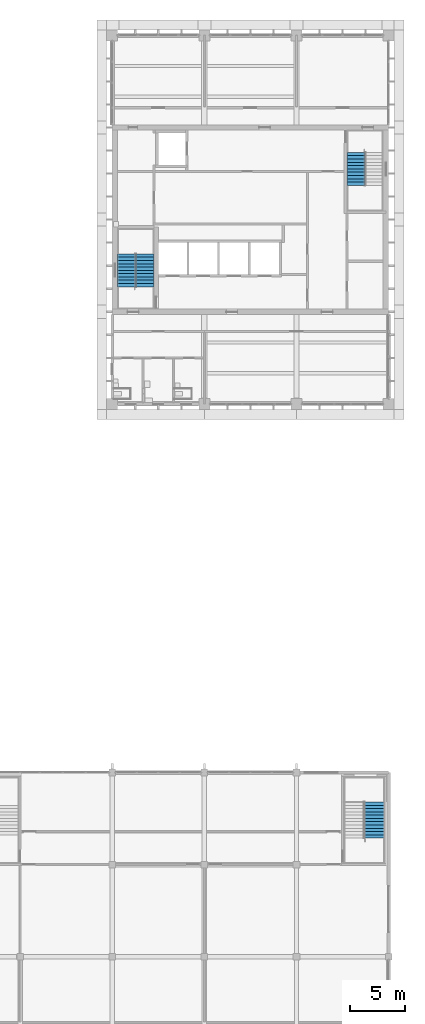
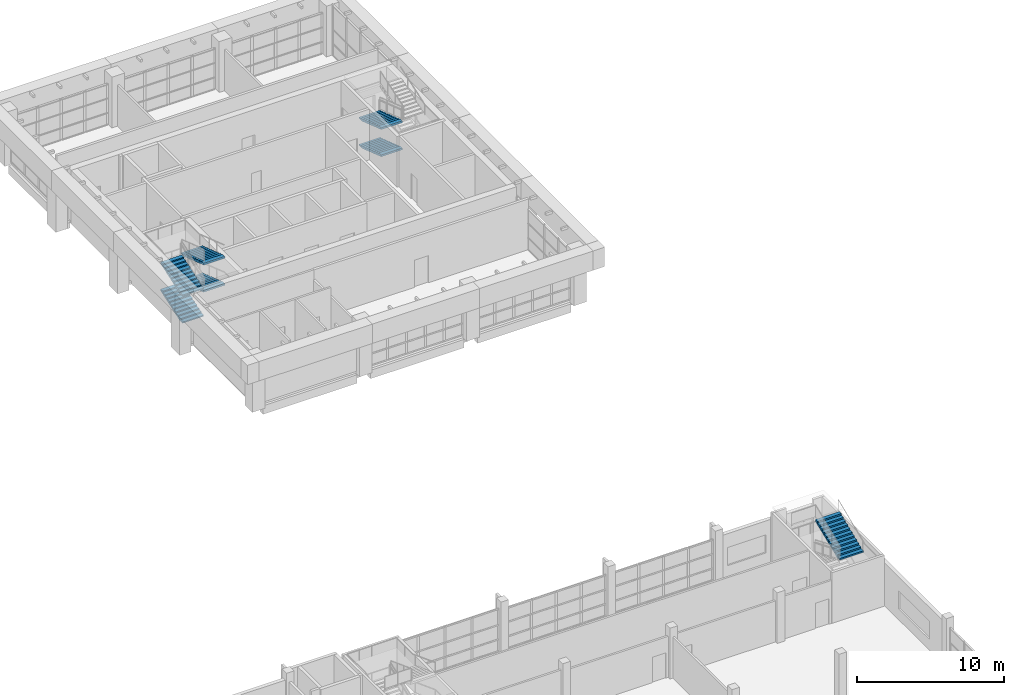
# One storey, part 42 of 56: 7 stair flights, 3 elements without a shape of their own.
"""IFC4 building model written with IfcOpenShell, lengths in metres."""

from ifc_helpers import new_model, si_unit, direction, frame, origin, place, context, subcontext, project, spatial, faceted_brep, material, type_object, element, aggregate, save


model = new_model("IFC4")

# Units and contexts
model_context = context("Model", 3, precision=1e-05, world=origin(), true_north=direction((0.0, 1.0)))
body_context = subcontext(model_context, "Body", "Model", "MODEL_VIEW")
ifc_project = project(units=[si_unit("LENGTHUNIT", "METRE"), si_unit("AREAUNIT", "SQUARE_METRE"), si_unit("VOLUMEUNIT", "CUBIC_METRE"), si_unit("PLANEANGLEUNIT", "RADIAN"), si_unit("MASSUNIT", "GRAM", prefix="KILO")], contexts=[model_context])

# Site, building, storey
site_placement = place(None, origin())
site = spatial("IfcSite", under=ifc_project, at=site_placement, CompositionType="ELEMENT")
building_placement = place(site_placement, origin())
building = spatial("IfcBuilding", under=site, at=building_placement, Name="Rulbaag Community and Learning Centre", CompositionType="ELEMENT")
storey_placement = place(building_placement, frame((0.0, 0.0, 9.89990234375)))
storey = spatial("IfcBuildingStorey", under=building, at=storey_placement, Name="L02", CompositionType="ELEMENT", Elevation=9.89990234375)

# Stair, stair flights
ifc_material = material(Name="Concrete M40", Category="concrete")
stair_type_1 = type_object("IfcStairType", Name="ST-1650 STAIR 1650 WIDE", PredefinedType="HALF_TURN_STAIR", material=ifc_material)
stair_1_placement = place(storey_placement, origin())
stair_1 = element("IfcStair", 1, at=stair_1_placement, inside=storey, type_object=stair_type_1, Name="Stair ST1 L02", PredefinedType="HALF_TURN_STAIR")
stair_flight_type_1 = type_object("IfcStairFlightType", Name="FL-1650 FLIGHT 1650 WIDE Concrete M40", PredefinedType="STRAIGHT", material=ifc_material)
stair_flight_1_placement = place(storey_placement, frame((144.125, 94.675048828125, 0.0), z_axis=(0.0, 0.0, 1.0), x_axis=(0.0, 1.0, 0.0)))
stair_flight_1 = element("IfcStairFlight", 2, at=stair_flight_1_placement, type_object=stair_flight_type_1, Name="ST1 flight 1", NumberOfRisers=11, NumberOfTreads=10, PredefinedType="STRAIGHT", RiserHeight=0.102272727, TreadLength=0.3, context=body_context, shape_type="Brep", body=[
    faceted_brep([(0.43359375, -0.824951171875, 0.0), (3.0, -0.824951171875, 0.875), (3.0, -0.824951171875, 1.022705078125), (2.699951171875, -0.824951171875, 1.022705078125), (2.699951171875, -0.824951171875, 0.92041015625), (2.39990234375, -0.824951171875, 0.92041015625), (2.39990234375, -0.824951171875, 0.818115234375), (2.10009765625, -0.824951171875, 0.818115234375), (2.10009765625, -0.824951171875, 0.7158203125), (1.800048828125, -0.824951171875, 0.7158203125), (1.800048828125, -0.824951171875, 0.613525390625), (1.5, -0.824951171875, 0.613525390625), (1.5, -0.824951171875, 0.511474609375), (1.199951171875, -0.824951171875, 0.511474609375), (1.199951171875, -0.824951171875, 0.4091796875), (0.89990234375, -0.824951171875, 0.4091796875), (0.89990234375, -0.824951171875, 0.306884765625), (0.60009765625, -0.824951171875, 0.306884765625), (0.60009765625, -0.824951171875, 0.20458984375), (0.300048828125, -0.824951171875, 0.20458984375), (0.300048828125, -0.824951171875, 0.102294921875), (0.0, -0.824951171875, 0.102294921875), (0.0, -0.824951171875, 0.0), (0.0, 0.824951171875, 0.0), (0.0, 0.824951171875, 0.102294921875), (0.300048828125, 0.824951171875, 0.102294921875), (0.300048828125, 0.824951171875, 0.20458984375), (0.60009765625, 0.824951171875, 0.20458984375), (0.60009765625, 0.824951171875, 0.306884765625), (0.89990234375, 0.824951171875, 0.306884765625), (0.89990234375, 0.824951171875, 0.4091796875), (1.199951171875, 0.824951171875, 0.4091796875), (1.199951171875, 0.824951171875, 0.511474609375), (1.5, 0.824951171875, 0.511474609375), (1.5, 0.824951171875, 0.613525390625), (1.800048828125, 0.824951171875, 0.613525390625), (1.800048828125, 0.824951171875, 0.7158203125), (2.10009765625, 0.824951171875, 0.7158203125), (2.10009765625, 0.824951171875, 0.818115234375), (2.39990234375, 0.824951171875, 0.818115234375), (2.39990234375, 0.824951171875, 0.92041015625), (2.699951171875, 0.824951171875, 0.92041015625), (2.699951171875, 0.824951171875, 1.022705078125), (3.0, 0.824951171875, 1.022705078125), (3.0, 0.824951171875, 0.875), (0.43359375, 0.824951171875, 0.0), (0.0, 0.0, 0.102294921875), (0.0, 0.0, 0.0), (0.300048828125, 0.0, 0.102294921875), (0.300048828125, 0.0, 0.20458984375), (0.60009765625, 0.0, 0.20458984375), (0.60009765625, 0.0, 0.306884765625), (0.89990234375, 0.0, 0.306884765625), (0.89990234375, 0.0, 0.4091796875), (1.199951171875, 0.0, 0.4091796875), (1.199951171875, 0.0, 0.511474609375), (1.5, 0.0, 0.511474609375), (1.5, 0.0, 0.613525390625), (1.800048828125, 0.0, 0.613525390625), (1.800048828125, 0.0, 0.7158203125), (2.10009765625, 0.0, 0.7158203125), (2.10009765625, 0.0, 0.818115234375), (2.39990234375, 0.0, 0.818115234375), (2.39990234375, 0.0, 0.92041015625), (2.699951171875, 0.0, 0.92041015625), (2.699951171875, 0.0, 1.022705078125), (3.0, 0.0, 1.022705078125), (3.0, 0.0, 0.875), (0.43359375, 0.0, 0.0)], [[[0, 1, 2, 3, 4, 5, 6, 7, 8, 9, 10, 11, 12, 13, 14, 15, 16, 17, 18, 19, 20, 21, 22]], [[23, 24, 25, 26, 27, 28, 29, 30, 31, 32, 33, 34, 35, 36, 37, 38, 39, 40, 41, 42, 43, 44, 45]], [[22, 21, 46, 47]], [[47, 46, 24, 23]], [[21, 20, 48, 46]], [[46, 48, 25, 24]], [[20, 19, 49, 48]], [[48, 49, 26, 25]], [[19, 18, 50, 49]], [[49, 50, 27, 26]], [[18, 17, 51, 50]], [[50, 51, 28, 27]], [[17, 16, 52, 51]], [[51, 52, 29, 28]], [[16, 15, 53, 52]], [[52, 53, 30, 29]], [[15, 14, 54, 53]], [[53, 54, 31, 30]], [[14, 13, 55, 54]], [[54, 55, 32, 31]], [[13, 12, 56, 55]], [[55, 56, 33, 32]], [[12, 11, 57, 56]], [[56, 57, 34, 33]], [[11, 10, 58, 57]], [[57, 58, 35, 34]], [[10, 9, 59, 58]], [[58, 59, 36, 35]], [[9, 8, 60, 59]], [[59, 60, 37, 36]], [[8, 7, 61, 60]], [[60, 61, 38, 37]], [[7, 6, 62, 61]], [[61, 62, 39, 38]], [[6, 5, 63, 62]], [[62, 63, 40, 39]], [[5, 4, 64, 63]], [[63, 64, 41, 40]], [[4, 3, 65, 64]], [[64, 65, 42, 41]], [[3, 2, 66, 65]], [[65, 66, 43, 42]], [[2, 1, 67, 66]], [[66, 67, 44, 43]], [[1, 0, 68, 67]], [[67, 68, 45, 44]], [[0, 22, 47, 68]], [[68, 47, 23, 45]]]),
])
stair_flight_2_placement = place(storey_placement, frame((145.77490234375, 97.675048828125, 1.125), z_axis=(0.0, 0.0, 1.0), x_axis=(0.0, -1.0, 0.0)))
stair_flight_2 = element("IfcStairFlight", 3, at=stair_flight_2_placement, type_object=stair_flight_type_1, Name="ST1 flight 2", NumberOfRisers=11, NumberOfTreads=10, PredefinedType="STRAIGHT", RiserHeight=0.102272727, TreadLength=0.3, context=body_context, shape_type="Brep", body=[
    faceted_brep([(0.43359375, -0.824951171875, 0.0), (3.0, -0.824951171875, 0.875), (3.0, -0.824951171875, 1.022705078125), (2.699951171875, -0.824951171875, 1.022705078125), (2.699951171875, -0.824951171875, 0.92041015625), (2.39990234375, -0.824951171875, 0.92041015625), (2.39990234375, -0.824951171875, 0.818115234375), (2.10009765625, -0.824951171875, 0.818115234375), (2.10009765625, -0.824951171875, 0.7158203125), (1.800048828125, -0.824951171875, 0.7158203125), (1.800048828125, -0.824951171875, 0.613525390625), (1.5, -0.824951171875, 0.613525390625), (1.5, -0.824951171875, 0.511474609375), (1.199951171875, -0.824951171875, 0.511474609375), (1.199951171875, -0.824951171875, 0.4091796875), (0.89990234375, -0.824951171875, 0.4091796875), (0.89990234375, -0.824951171875, 0.306884765625), (0.60009765625, -0.824951171875, 0.306884765625), (0.60009765625, -0.824951171875, 0.20458984375), (0.300048828125, -0.824951171875, 0.20458984375), (0.300048828125, -0.824951171875, 0.102294921875), (0.0, -0.824951171875, 0.102294921875), (0.0, -0.824951171875, 0.0), (0.0, 0.824951171875, 0.0), (0.0, 0.824951171875, 0.102294921875), (0.300048828125, 0.824951171875, 0.102294921875), (0.300048828125, 0.824951171875, 0.20458984375), (0.60009765625, 0.824951171875, 0.20458984375), (0.60009765625, 0.824951171875, 0.306884765625), (0.89990234375, 0.824951171875, 0.306884765625), (0.89990234375, 0.824951171875, 0.4091796875), (1.199951171875, 0.824951171875, 0.4091796875), (1.199951171875, 0.824951171875, 0.511474609375), (1.5, 0.824951171875, 0.511474609375), (1.5, 0.824951171875, 0.613525390625), (1.800048828125, 0.824951171875, 0.613525390625), (1.800048828125, 0.824951171875, 0.7158203125), (2.10009765625, 0.824951171875, 0.7158203125), (2.10009765625, 0.824951171875, 0.818115234375), (2.39990234375, 0.824951171875, 0.818115234375), (2.39990234375, 0.824951171875, 0.92041015625), (2.699951171875, 0.824951171875, 0.92041015625), (2.699951171875, 0.824951171875, 1.022705078125), (3.0, 0.824951171875, 1.022705078125), (3.0, 0.824951171875, 0.875), (0.43359375, 0.824951171875, 0.0), (0.0, 0.0, 0.102294921875), (0.0, 0.0, 0.0), (0.300048828125, 0.0, 0.102294921875), (0.300048828125, 0.0, 0.20458984375), (0.60009765625, 0.0, 0.20458984375), (0.60009765625, 0.0, 0.306884765625), (0.89990234375, 0.0, 0.306884765625), (0.89990234375, 0.0, 0.4091796875), (1.199951171875, 0.0, 0.4091796875), (1.199951171875, 0.0, 0.511474609375), (1.5, 0.0, 0.511474609375), (1.5, 0.0, 0.613525390625), (1.800048828125, 0.0, 0.613525390625), (1.800048828125, 0.0, 0.7158203125), (2.10009765625, 0.0, 0.7158203125), (2.10009765625, 0.0, 0.818115234375), (2.39990234375, 0.0, 0.818115234375), (2.39990234375, 0.0, 0.92041015625), (2.699951171875, 0.0, 0.92041015625), (2.699951171875, 0.0, 1.022705078125), (3.0, 0.0, 1.022705078125), (3.0, 0.0, 0.875), (0.43359375, 0.0, 0.0)], [[[0, 1, 2, 3, 4, 5, 6, 7, 8, 9, 10, 11, 12, 13, 14, 15, 16, 17, 18, 19, 20, 21, 22]], [[23, 24, 25, 26, 27, 28, 29, 30, 31, 32, 33, 34, 35, 36, 37, 38, 39, 40, 41, 42, 43, 44, 45]], [[22, 21, 46, 47]], [[47, 46, 24, 23]], [[21, 20, 48, 46]], [[46, 48, 25, 24]], [[20, 19, 49, 48]], [[48, 49, 26, 25]], [[19, 18, 50, 49]], [[49, 50, 27, 26]], [[18, 17, 51, 50]], [[50, 51, 28, 27]], [[17, 16, 52, 51]], [[51, 52, 29, 28]], [[16, 15, 53, 52]], [[52, 53, 30, 29]], [[15, 14, 54, 53]], [[53, 54, 31, 30]], [[14, 13, 55, 54]], [[54, 55, 32, 31]], [[13, 12, 56, 55]], [[55, 56, 33, 32]], [[12, 11, 57, 56]], [[56, 57, 34, 33]], [[11, 10, 58, 57]], [[57, 58, 35, 34]], [[10, 9, 59, 58]], [[58, 59, 36, 35]], [[9, 8, 60, 59]], [[59, 60, 37, 36]], [[8, 7, 61, 60]], [[60, 61, 38, 37]], [[7, 6, 62, 61]], [[61, 62, 39, 38]], [[6, 5, 63, 62]], [[62, 63, 40, 39]], [[5, 4, 64, 63]], [[63, 64, 41, 40]], [[4, 3, 65, 64]], [[64, 65, 42, 41]], [[3, 2, 66, 65]], [[65, 66, 43, 42]], [[2, 1, 67, 66]], [[66, 67, 44, 43]], [[1, 0, 68, 67]], [[67, 68, 45, 44]], [[0, 22, 47, 68]], [[68, 47, 23, 45]]]),
])
stair_flight_3_placement = place(storey_placement, frame((144.125, 94.675048828125, 2.25), z_axis=(0.0, 0.0, 1.0), x_axis=(0.0, 1.0, 0.0)))
stair_flight_3 = element("IfcStairFlight", 4, at=stair_flight_3_placement, type_object=stair_flight_type_1, Name="ST1 flight 3", NumberOfRisers=11, NumberOfTreads=10, PredefinedType="STRAIGHT", RiserHeight=0.102272727, TreadLength=0.3, context=body_context, shape_type="Brep", body=[
    faceted_brep([(0.43359375, -0.824951171875, 0.0), (3.0, -0.824951171875, 0.875), (3.0, -0.824951171875, 1.022705078125), (2.699951171875, -0.824951171875, 1.022705078125), (2.699951171875, -0.824951171875, 0.92041015625), (2.39990234375, -0.824951171875, 0.92041015625), (2.39990234375, -0.824951171875, 0.818115234375), (2.10009765625, -0.824951171875, 0.818115234375), (2.10009765625, -0.824951171875, 0.7158203125), (1.800048828125, -0.824951171875, 0.7158203125), (1.800048828125, -0.824951171875, 0.613525390625), (1.5, -0.824951171875, 0.613525390625), (1.5, -0.824951171875, 0.511474609375), (1.199951171875, -0.824951171875, 0.511474609375), (1.199951171875, -0.824951171875, 0.4091796875), (0.89990234375, -0.824951171875, 0.4091796875), (0.89990234375, -0.824951171875, 0.306884765625), (0.60009765625, -0.824951171875, 0.306884765625), (0.60009765625, -0.824951171875, 0.20458984375), (0.300048828125, -0.824951171875, 0.20458984375), (0.300048828125, -0.824951171875, 0.102294921875), (0.0, -0.824951171875, 0.102294921875), (0.0, -0.824951171875, 0.0), (0.0, 0.824951171875, 0.0), (0.0, 0.824951171875, 0.102294921875), (0.300048828125, 0.824951171875, 0.102294921875), (0.300048828125, 0.824951171875, 0.20458984375), (0.60009765625, 0.824951171875, 0.20458984375), (0.60009765625, 0.824951171875, 0.306884765625), (0.89990234375, 0.824951171875, 0.306884765625), (0.89990234375, 0.824951171875, 0.4091796875), (1.199951171875, 0.824951171875, 0.4091796875), (1.199951171875, 0.824951171875, 0.511474609375), (1.5, 0.824951171875, 0.511474609375), (1.5, 0.824951171875, 0.613525390625), (1.800048828125, 0.824951171875, 0.613525390625), (1.800048828125, 0.824951171875, 0.7158203125), (2.10009765625, 0.824951171875, 0.7158203125), (2.10009765625, 0.824951171875, 0.818115234375), (2.39990234375, 0.824951171875, 0.818115234375), (2.39990234375, 0.824951171875, 0.92041015625), (2.699951171875, 0.824951171875, 0.92041015625), (2.699951171875, 0.824951171875, 1.022705078125), (3.0, 0.824951171875, 1.022705078125), (3.0, 0.824951171875, 0.875), (0.43359375, 0.824951171875, 0.0), (0.0, 0.0, 0.102294921875), (0.0, 0.0, 0.0), (0.300048828125, 0.0, 0.102294921875), (0.300048828125, 0.0, 0.20458984375), (0.60009765625, 0.0, 0.20458984375), (0.60009765625, 0.0, 0.306884765625), (0.89990234375, 0.0, 0.306884765625), (0.89990234375, 0.0, 0.4091796875), (1.199951171875, 0.0, 0.4091796875), (1.199951171875, 0.0, 0.511474609375), (1.5, 0.0, 0.511474609375), (1.5, 0.0, 0.613525390625), (1.800048828125, 0.0, 0.613525390625), (1.800048828125, 0.0, 0.7158203125), (2.10009765625, 0.0, 0.7158203125), (2.10009765625, 0.0, 0.818115234375), (2.39990234375, 0.0, 0.818115234375), (2.39990234375, 0.0, 0.92041015625), (2.699951171875, 0.0, 0.92041015625), (2.699951171875, 0.0, 1.022705078125), (3.0, 0.0, 1.022705078125), (3.0, 0.0, 0.875), (0.43359375, 0.0, 0.0)], [[[0, 1, 2, 3, 4, 5, 6, 7, 8, 9, 10, 11, 12, 13, 14, 15, 16, 17, 18, 19, 20, 21, 22]], [[23, 24, 25, 26, 27, 28, 29, 30, 31, 32, 33, 34, 35, 36, 37, 38, 39, 40, 41, 42, 43, 44, 45]], [[22, 21, 46, 47]], [[47, 46, 24, 23]], [[21, 20, 48, 46]], [[46, 48, 25, 24]], [[20, 19, 49, 48]], [[48, 49, 26, 25]], [[19, 18, 50, 49]], [[49, 50, 27, 26]], [[18, 17, 51, 50]], [[50, 51, 28, 27]], [[17, 16, 52, 51]], [[51, 52, 29, 28]], [[16, 15, 53, 52]], [[52, 53, 30, 29]], [[15, 14, 54, 53]], [[53, 54, 31, 30]], [[14, 13, 55, 54]], [[54, 55, 32, 31]], [[13, 12, 56, 55]], [[55, 56, 33, 32]], [[12, 11, 57, 56]], [[56, 57, 34, 33]], [[11, 10, 58, 57]], [[57, 58, 35, 34]], [[10, 9, 59, 58]], [[58, 59, 36, 35]], [[9, 8, 60, 59]], [[59, 60, 37, 36]], [[8, 7, 61, 60]], [[60, 61, 38, 37]], [[7, 6, 62, 61]], [[61, 62, 39, 38]], [[6, 5, 63, 62]], [[62, 63, 40, 39]], [[5, 4, 64, 63]], [[63, 64, 41, 40]], [[4, 3, 65, 64]], [[64, 65, 42, 41]], [[3, 2, 66, 65]], [[65, 66, 43, 42]], [[2, 1, 67, 66]], [[66, 67, 44, 43]], [[1, 0, 68, 67]], [[67, 68, 45, 44]], [[0, 22, 47, 68]], [[68, 47, 23, 45]]]),
])
stair_flight_4_placement = place(storey_placement, frame((145.77490234375, 97.675048828125, 3.375), z_axis=(0.0, 0.0, 1.0), x_axis=(0.0, -1.0, 0.0)))
stair_flight_4 = element("IfcStairFlight", 5, at=stair_flight_4_placement, type_object=stair_flight_type_1, Name="ST1 flight 4", NumberOfRisers=11, NumberOfTreads=10, PredefinedType="STRAIGHT", RiserHeight=0.102272727, TreadLength=0.3, context=body_context, shape_type="Brep", body=[
    faceted_brep([(0.43359375, -0.824951171875, 0.0), (3.0, -0.824951171875, 0.875), (3.0, -0.824951171875, 1.022705078125), (2.699951171875, -0.824951171875, 1.022705078125), (2.699951171875, -0.824951171875, 0.92041015625), (2.39990234375, -0.824951171875, 0.92041015625), (2.39990234375, -0.824951171875, 0.818115234375), (2.10009765625, -0.824951171875, 0.818115234375), (2.10009765625, -0.824951171875, 0.7158203125), (1.800048828125, -0.824951171875, 0.7158203125), (1.800048828125, -0.824951171875, 0.613525390625), (1.5, -0.824951171875, 0.613525390625), (1.5, -0.824951171875, 0.511474609375), (1.199951171875, -0.824951171875, 0.511474609375), (1.199951171875, -0.824951171875, 0.4091796875), (0.89990234375, -0.824951171875, 0.4091796875), (0.89990234375, -0.824951171875, 0.306884765625), (0.60009765625, -0.824951171875, 0.306884765625), (0.60009765625, -0.824951171875, 0.20458984375), (0.300048828125, -0.824951171875, 0.20458984375), (0.300048828125, -0.824951171875, 0.102294921875), (0.0, -0.824951171875, 0.102294921875), (0.0, -0.824951171875, 0.0), (0.0, 0.824951171875, 0.0), (0.0, 0.824951171875, 0.102294921875), (0.300048828125, 0.824951171875, 0.102294921875), (0.300048828125, 0.824951171875, 0.20458984375), (0.60009765625, 0.824951171875, 0.20458984375), (0.60009765625, 0.824951171875, 0.306884765625), (0.89990234375, 0.824951171875, 0.306884765625), (0.89990234375, 0.824951171875, 0.4091796875), (1.199951171875, 0.824951171875, 0.4091796875), (1.199951171875, 0.824951171875, 0.511474609375), (1.5, 0.824951171875, 0.511474609375), (1.5, 0.824951171875, 0.613525390625), (1.800048828125, 0.824951171875, 0.613525390625), (1.800048828125, 0.824951171875, 0.7158203125), (2.10009765625, 0.824951171875, 0.7158203125), (2.10009765625, 0.824951171875, 0.818115234375), (2.39990234375, 0.824951171875, 0.818115234375), (2.39990234375, 0.824951171875, 0.92041015625), (2.699951171875, 0.824951171875, 0.92041015625), (2.699951171875, 0.824951171875, 1.022705078125), (3.0, 0.824951171875, 1.022705078125), (3.0, 0.824951171875, 0.875), (0.43359375, 0.824951171875, 0.0), (0.0, 0.0, 0.102294921875), (0.0, 0.0, 0.0), (0.300048828125, 0.0, 0.102294921875), (0.300048828125, 0.0, 0.20458984375), (0.60009765625, 0.0, 0.20458984375), (0.60009765625, 0.0, 0.306884765625), (0.89990234375, 0.0, 0.306884765625), (0.89990234375, 0.0, 0.4091796875), (1.199951171875, 0.0, 0.4091796875), (1.199951171875, 0.0, 0.511474609375), (1.5, 0.0, 0.511474609375), (1.5, 0.0, 0.613525390625), (1.800048828125, 0.0, 0.613525390625), (1.800048828125, 0.0, 0.7158203125), (2.10009765625, 0.0, 0.7158203125), (2.10009765625, 0.0, 0.818115234375), (2.39990234375, 0.0, 0.818115234375), (2.39990234375, 0.0, 0.92041015625), (2.699951171875, 0.0, 0.92041015625), (2.699951171875, 0.0, 1.022705078125), (3.0, 0.0, 1.022705078125), (3.0, 0.0, 0.875), (0.43359375, 0.0, 0.0)], [[[0, 1, 2, 3, 4, 5, 6, 7, 8, 9, 10, 11, 12, 13, 14, 15, 16, 17, 18, 19, 20, 21, 22]], [[23, 24, 25, 26, 27, 28, 29, 30, 31, 32, 33, 34, 35, 36, 37, 38, 39, 40, 41, 42, 43, 44, 45]], [[22, 21, 46, 47]], [[47, 46, 24, 23]], [[21, 20, 48, 46]], [[46, 48, 25, 24]], [[20, 19, 49, 48]], [[48, 49, 26, 25]], [[19, 18, 50, 49]], [[49, 50, 27, 26]], [[18, 17, 51, 50]], [[50, 51, 28, 27]], [[17, 16, 52, 51]], [[51, 52, 29, 28]], [[16, 15, 53, 52]], [[52, 53, 30, 29]], [[15, 14, 54, 53]], [[53, 54, 31, 30]], [[14, 13, 55, 54]], [[54, 55, 32, 31]], [[13, 12, 56, 55]], [[55, 56, 33, 32]], [[12, 11, 57, 56]], [[56, 57, 34, 33]], [[11, 10, 58, 57]], [[57, 58, 35, 34]], [[10, 9, 59, 58]], [[58, 59, 36, 35]], [[9, 8, 60, 59]], [[59, 60, 37, 36]], [[8, 7, 61, 60]], [[60, 61, 38, 37]], [[7, 6, 62, 61]], [[61, 62, 39, 38]], [[6, 5, 63, 62]], [[62, 63, 40, 39]], [[5, 4, 64, 63]], [[63, 64, 41, 40]], [[4, 3, 65, 64]], [[64, 65, 42, 41]], [[3, 2, 66, 65]], [[65, 66, 43, 42]], [[2, 1, 67, 66]], [[66, 67, 44, 43]], [[1, 0, 68, 67]], [[67, 68, 45, 44]], [[0, 22, 47, 68]], [[68, 47, 23, 45]]]),
])
aggregate(stair_1, [stair_flight_1, stair_flight_2, stair_flight_3, stair_flight_4])

stair_2_placement = place(storey_placement, origin())
stair_2 = element("IfcStair", 6, at=stair_2_placement, inside=storey, type_object=stair_type_1, Name="Stair ST2 L02", PredefinedType="HALF_TURN_STAIR")
stair_flight_5_placement = place(storey_placement, frame((165.02490234375, 106.925048828125, 0.0), z_axis=(0.0, 0.0, 1.0), x_axis=(0.0, -1.0, 0.0)))
stair_flight_5 = element("IfcStairFlight", 7, at=stair_flight_5_placement, type_object=stair_flight_type_1, Name="ST2 flight 1", NumberOfRisers=11, NumberOfTreads=10, PredefinedType="STRAIGHT", RiserHeight=0.102272727, TreadLength=0.3, context=body_context, shape_type="Brep", body=[
    faceted_brep([(0.43359375, -0.824951171875, 0.0), (3.0, -0.824951171875, 0.875), (3.0, -0.824951171875, 1.022705078125), (2.699951171875, -0.824951171875, 1.022705078125), (2.699951171875, -0.824951171875, 0.92041015625), (2.39990234375, -0.824951171875, 0.92041015625), (2.39990234375, -0.824951171875, 0.818115234375), (2.10009765625, -0.824951171875, 0.818115234375), (2.10009765625, -0.824951171875, 0.7158203125), (1.800048828125, -0.824951171875, 0.7158203125), (1.800048828125, -0.824951171875, 0.613525390625), (1.5, -0.824951171875, 0.613525390625), (1.5, -0.824951171875, 0.511474609375), (1.199951171875, -0.824951171875, 0.511474609375), (1.199951171875, -0.824951171875, 0.4091796875), (0.89990234375, -0.824951171875, 0.4091796875), (0.89990234375, -0.824951171875, 0.306884765625), (0.60009765625, -0.824951171875, 0.306884765625), (0.60009765625, -0.824951171875, 0.20458984375), (0.300048828125, -0.824951171875, 0.20458984375), (0.300048828125, -0.824951171875, 0.102294921875), (0.0, -0.824951171875, 0.102294921875), (0.0, -0.824951171875, 0.0), (0.0, 0.824951171875, 0.0), (0.0, 0.824951171875, 0.102294921875), (0.300048828125, 0.824951171875, 0.102294921875), (0.300048828125, 0.824951171875, 0.20458984375), (0.60009765625, 0.824951171875, 0.20458984375), (0.60009765625, 0.824951171875, 0.306884765625), (0.89990234375, 0.824951171875, 0.306884765625), (0.89990234375, 0.824951171875, 0.4091796875), (1.199951171875, 0.824951171875, 0.4091796875), (1.199951171875, 0.824951171875, 0.511474609375), (1.5, 0.824951171875, 0.511474609375), (1.5, 0.824951171875, 0.613525390625), (1.800048828125, 0.824951171875, 0.613525390625), (1.800048828125, 0.824951171875, 0.7158203125), (2.10009765625, 0.824951171875, 0.7158203125), (2.10009765625, 0.824951171875, 0.818115234375), (2.39990234375, 0.824951171875, 0.818115234375), (2.39990234375, 0.824951171875, 0.92041015625), (2.699951171875, 0.824951171875, 0.92041015625), (2.699951171875, 0.824951171875, 1.022705078125), (3.0, 0.824951171875, 1.022705078125), (3.0, 0.824951171875, 0.875), (0.43359375, 0.824951171875, 0.0), (0.0, 0.0, 0.102294921875), (0.0, 0.0, 0.0), (0.300048828125, 0.0, 0.102294921875), (0.300048828125, 0.0, 0.20458984375), (0.60009765625, 0.0, 0.20458984375), (0.60009765625, 0.0, 0.306884765625), (0.89990234375, 0.0, 0.306884765625), (0.89990234375, 0.0, 0.4091796875), (1.199951171875, 0.0, 0.4091796875), (1.199951171875, 0.0, 0.511474609375), (1.5, 0.0, 0.511474609375), (1.5, 0.0, 0.613525390625), (1.800048828125, 0.0, 0.613525390625), (1.800048828125, 0.0, 0.7158203125), (2.10009765625, 0.0, 0.7158203125), (2.10009765625, 0.0, 0.818115234375), (2.39990234375, 0.0, 0.818115234375), (2.39990234375, 0.0, 0.92041015625), (2.699951171875, 0.0, 0.92041015625), (2.699951171875, 0.0, 1.022705078125), (3.0, 0.0, 1.022705078125), (3.0, 0.0, 0.875), (0.43359375, 0.0, 0.0)], [[[0, 1, 2, 3, 4, 5, 6, 7, 8, 9, 10, 11, 12, 13, 14, 15, 16, 17, 18, 19, 20, 21, 22]], [[23, 24, 25, 26, 27, 28, 29, 30, 31, 32, 33, 34, 35, 36, 37, 38, 39, 40, 41, 42, 43, 44, 45]], [[22, 21, 46, 47]], [[47, 46, 24, 23]], [[21, 20, 48, 46]], [[46, 48, 25, 24]], [[20, 19, 49, 48]], [[48, 49, 26, 25]], [[19, 18, 50, 49]], [[49, 50, 27, 26]], [[18, 17, 51, 50]], [[50, 51, 28, 27]], [[17, 16, 52, 51]], [[51, 52, 29, 28]], [[16, 15, 53, 52]], [[52, 53, 30, 29]], [[15, 14, 54, 53]], [[53, 54, 31, 30]], [[14, 13, 55, 54]], [[54, 55, 32, 31]], [[13, 12, 56, 55]], [[55, 56, 33, 32]], [[12, 11, 57, 56]], [[56, 57, 34, 33]], [[11, 10, 58, 57]], [[57, 58, 35, 34]], [[10, 9, 59, 58]], [[58, 59, 36, 35]], [[9, 8, 60, 59]], [[59, 60, 37, 36]], [[8, 7, 61, 60]], [[60, 61, 38, 37]], [[7, 6, 62, 61]], [[61, 62, 39, 38]], [[6, 5, 63, 62]], [[62, 63, 40, 39]], [[5, 4, 64, 63]], [[63, 64, 41, 40]], [[4, 3, 65, 64]], [[64, 65, 42, 41]], [[3, 2, 66, 65]], [[65, 66, 43, 42]], [[2, 1, 67, 66]], [[66, 67, 44, 43]], [[1, 0, 68, 67]], [[67, 68, 45, 44]], [[0, 22, 47, 68]], [[68, 47, 23, 45]]]),
])
stair_flight_6_placement = place(storey_placement, frame((165.02490234375, 106.925048828125, 2.25), z_axis=(0.0, 0.0, 1.0), x_axis=(0.0, -1.0, 0.0)))
stair_flight_6 = element("IfcStairFlight", 8, at=stair_flight_6_placement, type_object=stair_flight_type_1, Name="ST2 flight 3", NumberOfRisers=11, NumberOfTreads=10, PredefinedType="STRAIGHT", RiserHeight=0.102272727, TreadLength=0.3, context=body_context, shape_type="Brep", body=[
    faceted_brep([(0.43359375, -0.824951171875, 0.0), (3.0, -0.824951171875, 0.875), (3.0, -0.824951171875, 1.022705078125), (2.699951171875, -0.824951171875, 1.022705078125), (2.699951171875, -0.824951171875, 0.92041015625), (2.39990234375, -0.824951171875, 0.92041015625), (2.39990234375, -0.824951171875, 0.818115234375), (2.10009765625, -0.824951171875, 0.818115234375), (2.10009765625, -0.824951171875, 0.7158203125), (1.800048828125, -0.824951171875, 0.7158203125), (1.800048828125, -0.824951171875, 0.613525390625), (1.5, -0.824951171875, 0.613525390625), (1.5, -0.824951171875, 0.511474609375), (1.199951171875, -0.824951171875, 0.511474609375), (1.199951171875, -0.824951171875, 0.4091796875), (0.89990234375, -0.824951171875, 0.4091796875), (0.89990234375, -0.824951171875, 0.306884765625), (0.60009765625, -0.824951171875, 0.306884765625), (0.60009765625, -0.824951171875, 0.20458984375), (0.300048828125, -0.824951171875, 0.20458984375), (0.300048828125, -0.824951171875, 0.102294921875), (0.0, -0.824951171875, 0.102294921875), (0.0, -0.824951171875, 0.0), (0.0, 0.824951171875, 0.0), (0.0, 0.824951171875, 0.102294921875), (0.300048828125, 0.824951171875, 0.102294921875), (0.300048828125, 0.824951171875, 0.20458984375), (0.60009765625, 0.824951171875, 0.20458984375), (0.60009765625, 0.824951171875, 0.306884765625), (0.89990234375, 0.824951171875, 0.306884765625), (0.89990234375, 0.824951171875, 0.4091796875), (1.199951171875, 0.824951171875, 0.4091796875), (1.199951171875, 0.824951171875, 0.511474609375), (1.5, 0.824951171875, 0.511474609375), (1.5, 0.824951171875, 0.613525390625), (1.800048828125, 0.824951171875, 0.613525390625), (1.800048828125, 0.824951171875, 0.7158203125), (2.10009765625, 0.824951171875, 0.7158203125), (2.10009765625, 0.824951171875, 0.818115234375), (2.39990234375, 0.824951171875, 0.818115234375), (2.39990234375, 0.824951171875, 0.92041015625), (2.699951171875, 0.824951171875, 0.92041015625), (2.699951171875, 0.824951171875, 1.022705078125), (3.0, 0.824951171875, 1.022705078125), (3.0, 0.824951171875, 0.875), (0.43359375, 0.824951171875, 0.0), (0.0, 0.0, 0.102294921875), (0.0, 0.0, 0.0), (0.300048828125, 0.0, 0.102294921875), (0.300048828125, 0.0, 0.20458984375), (0.60009765625, 0.0, 0.20458984375), (0.60009765625, 0.0, 0.306884765625), (0.89990234375, 0.0, 0.306884765625), (0.89990234375, 0.0, 0.4091796875), (1.199951171875, 0.0, 0.4091796875), (1.199951171875, 0.0, 0.511474609375), (1.5, 0.0, 0.511474609375), (1.5, 0.0, 0.613525390625), (1.800048828125, 0.0, 0.613525390625), (1.800048828125, 0.0, 0.7158203125), (2.10009765625, 0.0, 0.7158203125), (2.10009765625, 0.0, 0.818115234375), (2.39990234375, 0.0, 0.818115234375), (2.39990234375, 0.0, 0.92041015625), (2.699951171875, 0.0, 0.92041015625), (2.699951171875, 0.0, 1.022705078125), (3.0, 0.0, 1.022705078125), (3.0, 0.0, 0.875), (0.43359375, 0.0, 0.0)], [[[0, 1, 2, 3, 4, 5, 6, 7, 8, 9, 10, 11, 12, 13, 14, 15, 16, 17, 18, 19, 20, 21, 22]], [[23, 24, 25, 26, 27, 28, 29, 30, 31, 32, 33, 34, 35, 36, 37, 38, 39, 40, 41, 42, 43, 44, 45]], [[22, 21, 46, 47]], [[47, 46, 24, 23]], [[21, 20, 48, 46]], [[46, 48, 25, 24]], [[20, 19, 49, 48]], [[48, 49, 26, 25]], [[19, 18, 50, 49]], [[49, 50, 27, 26]], [[18, 17, 51, 50]], [[50, 51, 28, 27]], [[17, 16, 52, 51]], [[51, 52, 29, 28]], [[16, 15, 53, 52]], [[52, 53, 30, 29]], [[15, 14, 54, 53]], [[53, 54, 31, 30]], [[14, 13, 55, 54]], [[54, 55, 32, 31]], [[13, 12, 56, 55]], [[55, 56, 33, 32]], [[12, 11, 57, 56]], [[56, 57, 34, 33]], [[11, 10, 58, 57]], [[57, 58, 35, 34]], [[10, 9, 59, 58]], [[58, 59, 36, 35]], [[9, 8, 60, 59]], [[59, 60, 37, 36]], [[8, 7, 61, 60]], [[60, 61, 38, 37]], [[7, 6, 62, 61]], [[61, 62, 39, 38]], [[6, 5, 63, 62]], [[62, 63, 40, 39]], [[5, 4, 64, 63]], [[63, 64, 41, 40]], [[4, 3, 65, 64]], [[64, 65, 42, 41]], [[3, 2, 66, 65]], [[65, 66, 43, 42]], [[2, 1, 67, 66]], [[66, 67, 44, 43]], [[1, 0, 68, 67]], [[67, 68, 45, 44]], [[0, 22, 47, 68]], [[68, 47, 23, 45]]]),
])
aggregate(stair_2, [stair_flight_5, stair_flight_6])

# Stair, stair flight
stair_type_2 = type_object("IfcStairType", Name="ST-1862 STAIR 1862 WIDE", PredefinedType="HALF_TURN_STAIR", material=ifc_material)
stair_3_placement = place(storey_placement, origin())
stair_3 = element("IfcStair", 9, at=stair_3_placement, inside=storey, type_object=stair_type_2, Name="Stair ST-H4 L02", PredefinedType="HALF_TURN_STAIR")
stair_flight_type_2 = type_object("IfcStairFlightType", Name="FL-1862 FLIGHT 1862 WIDE Concrete M40", PredefinedType="STRAIGHT", material=ifc_material)
stair_flight_7_placement = place(storey_placement, frame((166.693603515625, 44.41259765625, 3.0), z_axis=(0.0, 0.0, 1.0), x_axis=(0.0, 1.0, 0.0)))
stair_flight_7 = element("IfcStairFlight", 10, at=stair_flight_7_placement, type_object=stair_flight_type_2, Name="ST-H4 flight 3", NumberOfRisers=12, NumberOfTreads=11, PredefinedType="STRAIGHT", RiserHeight=0.125, TreadLength=0.3, context=body_context, shape_type="Brep", body=[
    faceted_brep([(0.36376953125, -0.93115234375, 0.0), (3.300048828125, -0.93115234375, 1.223388671875), (3.300048828125, -0.93115234375, 1.375), (3.0, -0.93115234375, 1.375), (3.0, -0.93115234375, 1.25), (2.699951171875, -0.93115234375, 1.25), (2.699951171875, -0.93115234375, 1.125), (2.39990234375, -0.93115234375, 1.125), (2.39990234375, -0.93115234375, 1.0), (2.10009765625, -0.93115234375, 1.0), (2.10009765625, -0.93115234375, 0.875), (1.800048828125, -0.93115234375, 0.875), (1.800048828125, -0.93115234375, 0.75), (1.5, -0.93115234375, 0.75), (1.5, -0.93115234375, 0.625), (1.199951171875, -0.93115234375, 0.625), (1.199951171875, -0.93115234375, 0.5), (0.89990234375, -0.93115234375, 0.5), (0.89990234375, -0.93115234375, 0.375), (0.60009765625, -0.93115234375, 0.375), (0.60009765625, -0.93115234375, 0.25), (0.300048828125, -0.93115234375, 0.25), (0.300048828125, -0.93115234375, 0.125), (0.0, -0.93115234375, 0.125), (0.0, -0.93115234375, 0.0), (0.0, 0.93115234375, 0.0), (0.0, 0.93115234375, 0.125), (0.300048828125, 0.93115234375, 0.125), (0.300048828125, 0.93115234375, 0.25), (0.60009765625, 0.93115234375, 0.25), (0.60009765625, 0.93115234375, 0.375), (0.89990234375, 0.93115234375, 0.375), (0.89990234375, 0.93115234375, 0.5), (1.199951171875, 0.93115234375, 0.5), (1.199951171875, 0.93115234375, 0.625), (1.5, 0.93115234375, 0.625), (1.5, 0.93115234375, 0.75), (1.800048828125, 0.93115234375, 0.75), (1.800048828125, 0.93115234375, 0.875), (2.10009765625, 0.93115234375, 0.875), (2.10009765625, 0.93115234375, 1.0), (2.39990234375, 0.93115234375, 1.0), (2.39990234375, 0.93115234375, 1.125), (2.699951171875, 0.93115234375, 1.125), (2.699951171875, 0.93115234375, 1.25), (3.0, 0.93115234375, 1.25), (3.0, 0.93115234375, 1.375), (3.300048828125, 0.93115234375, 1.375), (3.300048828125, 0.93115234375, 1.223388671875), (0.36376953125, 0.93115234375, 0.0), (0.0, 0.0, 0.125), (0.0, 0.0, 0.0), (0.300048828125, 0.0, 0.125), (0.300048828125, 0.0, 0.25), (0.60009765625, 0.0, 0.25), (0.60009765625, 0.0, 0.375), (0.89990234375, 0.0, 0.375), (0.89990234375, 0.0, 0.5), (1.199951171875, 0.0, 0.5), (1.199951171875, 0.0, 0.625), (1.5, 0.0, 0.625), (1.5, 0.0, 0.75), (1.800048828125, 0.0, 0.75), (1.800048828125, 0.0, 0.875), (2.10009765625, 0.0, 0.875), (2.10009765625, 0.0, 1.0), (2.39990234375, 0.0, 1.0), (2.39990234375, 0.0, 1.125), (2.699951171875, 0.0, 1.125), (2.699951171875, 0.0, 1.25), (3.0, 0.0, 1.25), (3.0, 0.0, 1.375), (3.300048828125, 0.0, 1.375), (3.300048828125, 0.0, 1.223388671875), (0.36376953125, 0.0, 0.0)], [[[0, 1, 2, 3, 4, 5, 6, 7, 8, 9, 10, 11, 12, 13, 14, 15, 16, 17, 18, 19, 20, 21, 22, 23, 24]], [[25, 26, 27, 28, 29, 30, 31, 32, 33, 34, 35, 36, 37, 38, 39, 40, 41, 42, 43, 44, 45, 46, 47, 48, 49]], [[24, 23, 50, 51]], [[51, 50, 26, 25]], [[23, 22, 52, 50]], [[50, 52, 27, 26]], [[22, 21, 53, 52]], [[52, 53, 28, 27]], [[21, 20, 54, 53]], [[53, 54, 29, 28]], [[20, 19, 55, 54]], [[54, 55, 30, 29]], [[19, 18, 56, 55]], [[55, 56, 31, 30]], [[18, 17, 57, 56]], [[56, 57, 32, 31]], [[17, 16, 58, 57]], [[57, 58, 33, 32]], [[16, 15, 59, 58]], [[58, 59, 34, 33]], [[15, 14, 60, 59]], [[59, 60, 35, 34]], [[14, 13, 61, 60]], [[60, 61, 36, 35]], [[13, 12, 62, 61]], [[61, 62, 37, 36]], [[12, 11, 63, 62]], [[62, 63, 38, 37]], [[11, 10, 64, 63]], [[63, 64, 39, 38]], [[10, 9, 65, 64]], [[64, 65, 40, 39]], [[9, 8, 66, 65]], [[65, 66, 41, 40]], [[8, 7, 67, 66]], [[66, 67, 42, 41]], [[7, 6, 68, 67]], [[67, 68, 43, 42]], [[6, 5, 69, 68]], [[68, 69, 44, 43]], [[5, 4, 70, 69]], [[69, 70, 45, 44]], [[4, 3, 71, 70]], [[70, 71, 46, 45]], [[3, 2, 72, 71]], [[71, 72, 47, 46]], [[2, 1, 73, 72]], [[72, 73, 48, 47]], [[1, 0, 74, 73]], [[73, 74, 49, 48]], [[0, 24, 51, 74]], [[74, 51, 25, 49]]]),
])
aggregate(stair_3, [stair_flight_7])

save(model, "model.ifc")
